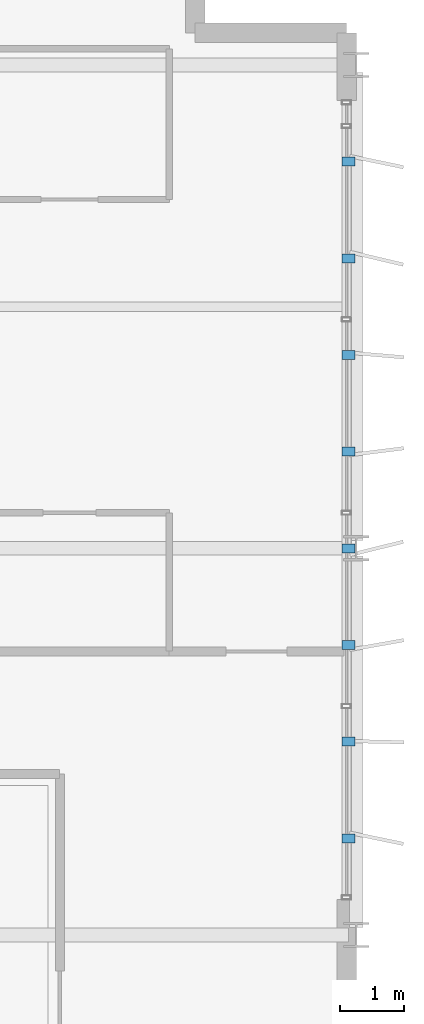
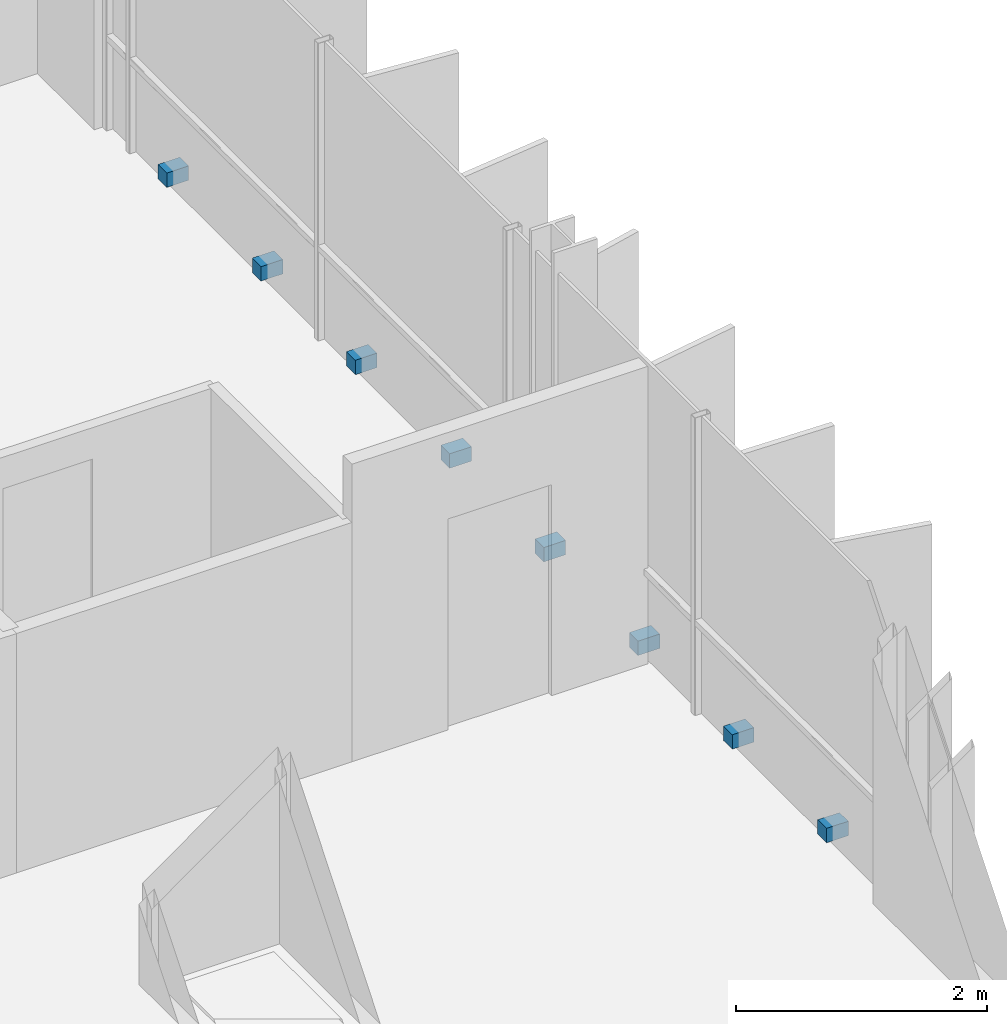
# One storey, part 27 of 29: 8 discrete accessories.
"""IFC4 building model written with IfcOpenShell, lengths in metres."""

from ifc_helpers import new_model, si_unit, direction, frame, origin, origin_2d, place, context, subcontext, project, spatial, rectangle, extrude, material, type_object, element, save


model = new_model("IFC4")

# Units and contexts
model_context = context("Model", 3, precision=1e-05, world=origin(), true_north=direction((0.0, 1.0)))
body_context = subcontext(model_context, "Body", "Model", "MODEL_VIEW")
ifc_project = project(units=[si_unit("LENGTHUNIT", "METRE"), si_unit("AREAUNIT", "SQUARE_METRE"), si_unit("VOLUMEUNIT", "CUBIC_METRE"), si_unit("PLANEANGLEUNIT", "RADIAN"), si_unit("MASSUNIT", "GRAM", prefix="KILO")], contexts=[model_context])

# Site, building, storey
site_placement = place(None, origin())
site = spatial("IfcSite", under=ifc_project, at=site_placement, CompositionType="ELEMENT")
building_placement = place(site_placement, origin())
building = spatial("IfcBuilding", under=site, at=building_placement, Name="Brevholm Reach", CompositionType="ELEMENT")
storey_placement = place(building_placement, frame((0.0, 0.0, 198.699951171875)))
storey = spatial("IfcBuildingStorey", under=building, at=storey_placement, Name="L60", CompositionType="ELEMENT", Elevation=198.699951171875)

# Discrete accessories
ifc_material = material(Name="Duplex Stainless Steel EN 1.4462", Category="steel")
discrete_accessory_type = type_object("IfcDiscreteAccessoryType", Name="ACC-BRK-01", PredefinedType="BRACKET", material=ifc_material)
for number, where, z_axis, x_axis, name in (
    (1, (59.8798828125, 11.5, 0.0302734375), (0.0, 0.0, 1.0), (1.0, 0.0, 0.0), "L60 Solar Screen Support Bracket 1"),
    (2, (59.8798828125, 13.0, 0.0302734375), (0.0, 0.0, 1.0), (1.0, 0.0, 0.0), "L60 Solar Screen Support Bracket 2"),
    (3, (59.8798828125, 14.5, 0.0302734375), (0.0, 0.0, 1.0), (1.0, 0.0, 0.0), "L60 Solar Screen Support Bracket 3"),
    (4, (59.8798828125, 16.0, 0.0302734375), (0.0, 0.0, 1.0), (1.0, 0.0, 0.0), "L60 Solar Screen Support Bracket 4"),
    (5, (59.8798828125, 17.5, 0.0302734375), (0.0, 0.0, 1.0), (1.0, 0.0, 0.0), "L60 Solar Screen Support Bracket 5"),
    (6, (59.8798828125, 19.0, 0.0302734375), (0.0, 0.0, 1.0), (1.0, 0.0, 0.0), "L60 Solar Screen Support Bracket 6"),
    (7, (59.8798828125, 20.5, 0.0302734375), (0.0, 0.0, 1.0), (1.0, 0.0, 0.0), "L60 Solar Screen Support Bracket 7"),
    (8, (59.8798828125, 22.0, 0.0302734375), (0.0, 0.0, 1.0), (1.0, 0.0, 0.0), "L60 Solar Screen Support Bracket 8"),
):
    element("IfcDiscreteAccessory", number, at=place(storey_placement, frame(where, z_axis=z_axis, x_axis=x_axis)), inside=storey, type_object=discrete_accessory_type, Name=name, PredefinedType="BRACKET", context=body_context, shape_type="SweptSolid", body=[
        extrude(rectangle(XDim=0.199951171875, YDim=0.139892578125, at=origin_2d()), origin(), (0.0, 0.0, 1.0), 0.139892578125),
    ])

save(model, "model.ifc")
